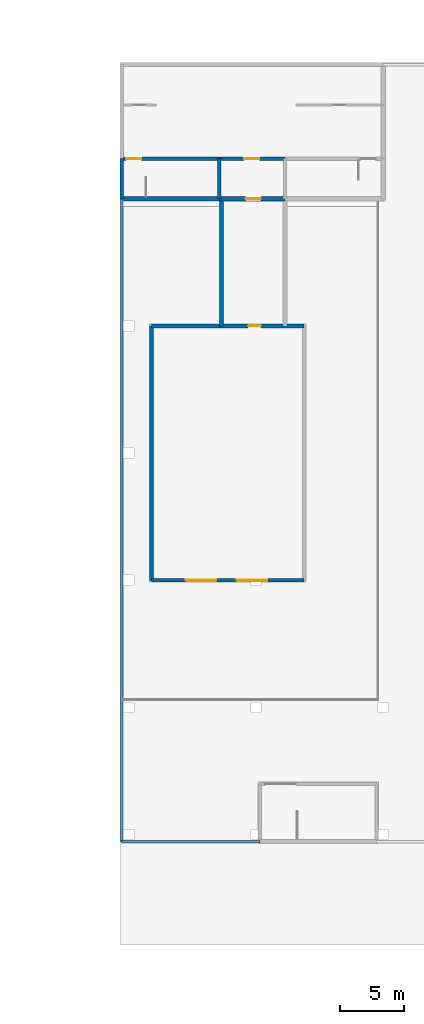
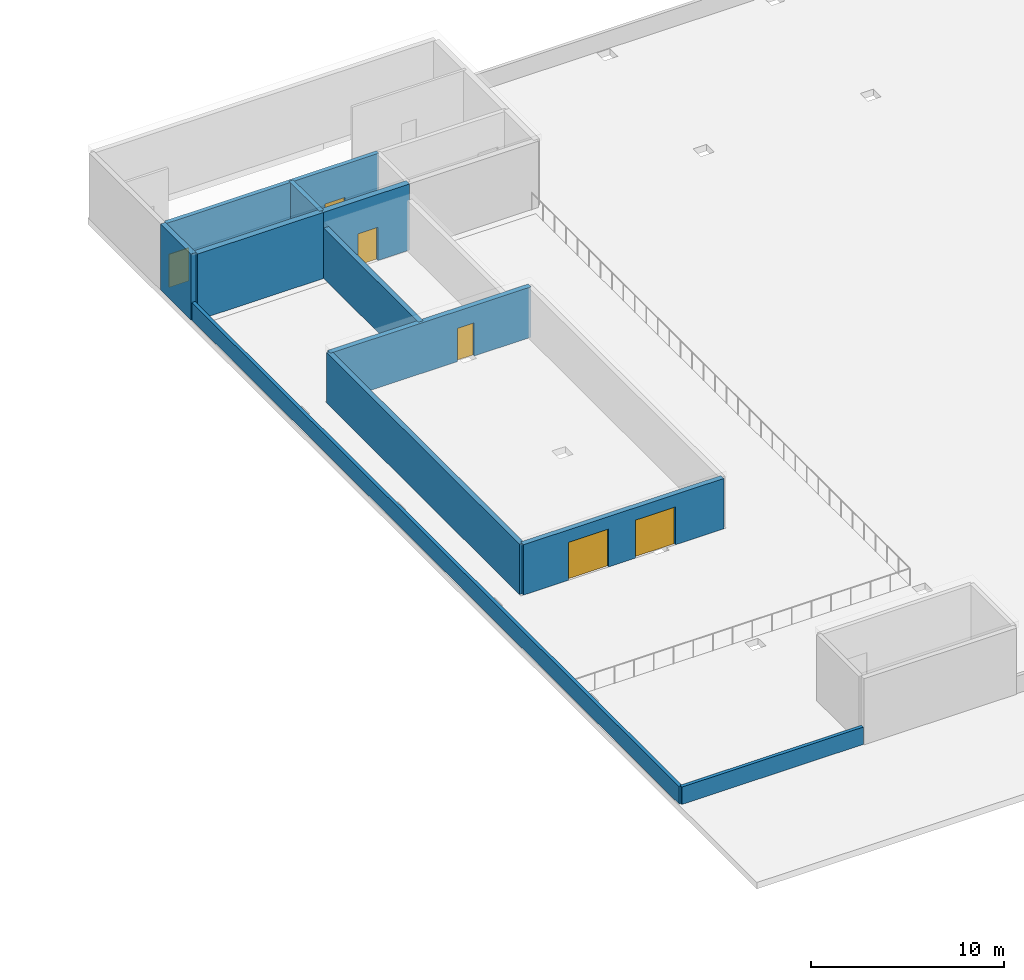
# One storey, part 20 of 31: 12 walls, 6 doors, 6 openings.
"""IFC4 building model written with IfcOpenShell, lengths in metres."""

from ifc_helpers import new_model, si_unit, direction, frame, frame_2d, origin, place, context, subcontext, project, spatial, rectangle, extrude, material, layer, layer_set, type_object, element, fill, save


model = new_model("IFC4")

# Units and contexts
model_context = context("Model", 3, precision=1e-05, world=origin(), true_north=direction((0.0, 1.0)))
body_context = subcontext(model_context, "Body", "Model", "MODEL_VIEW")
ifc_project = project(units=[si_unit("LENGTHUNIT", "METRE"), si_unit("AREAUNIT", "SQUARE_METRE"), si_unit("VOLUMEUNIT", "CUBIC_METRE"), si_unit("PLANEANGLEUNIT", "RADIAN"), si_unit("MASSUNIT", "GRAM", prefix="KILO")], contexts=[model_context])

# Site, building, storey
site_placement = place(None, origin())
site = spatial("IfcSite", under=ifc_project, at=site_placement, CompositionType="ELEMENT")
building_placement = place(site_placement, origin())
building = spatial("IfcBuilding", under=site, at=building_placement, Name="Jabali Bay Hotel Tower and Convention Centre", CompositionType="ELEMENT")
storey_placement = place(building_placement, frame((0.0, 0.0, 25.39990234375)))
storey = spatial("IfcBuildingStorey", under=building, at=storey_placement, Name="L04", CompositionType="ELEMENT", Elevation=25.39990234375)

# Wall
ifc_material_1 = material(Name="Concrete C60", Category="concrete")
ifc_layer_1 = layer(ifc_material_1, 0.35009765625)
ifc_layer_set_1 = layer_set([ifc_layer_1], Name="Concrete C60")
wall_type_1 = type_object("IfcWallType", Name="CC Core Wall 350", PredefinedType="SHEAR", material=ifc_layer_set_1)
wall_1_placement = place(storey_placement, frame((150.300048828125, 100.0, 0.0), z_axis=(0.0, 0.0, 1.0), x_axis=(1.0, 0.0, 0.0)))
element("IfcWall", 1, at=wall_1_placement, inside=storey, type_object=wall_type_1, Name="CC west core wall", PredefinedType="SHEAR", context=body_context, shape_type="SweptSolid", body=[
    extrude(rectangle(XDim=7.52490234375, YDim=0.35009765625, at=frame_2d((3.762451171875, 0.0))), origin(), (0.0, 0.0, 1.0), 4.190185546875),
])

# Wall, opening, door
wall_2_placement = place(storey_placement, frame((163.0, 100.0, 0.0), z_axis=(0.0, 0.0, 1.0), x_axis=(-1.0, 0.0, 0.0)))
wall_2 = element("IfcWall", 2, at=wall_2_placement, inside=storey, type_object=wall_type_1, Name="CC west core wall", PredefinedType="SHEAR", context=body_context, shape_type="SweptSolid", body=[
    extrude(rectangle(XDim=5.175048828125, YDim=0.35009765625, at=frame_2d((2.58740234375, 0.0))), origin(), (0.0, 0.0, 1.0), 4.190185546875),
])
opening_1_placement = place(wall_2_placement, frame((1.89990234375, 0.0, 0.0)))
opening_1 = element("IfcOpeningElement", 3, at=opening_1_placement, cuts=wall_2, Name="Opening CC-D249", PredefinedType="OPENING", context=body_context, shape_type="SweptSolid", body=[
    extrude(rectangle(XDim=1.199951171875, YDim=2.10009765625, at=frame_2d((0.60009765625, 1.050048828125))), frame((0.0, 0.185546875, 0.0), z_axis=(0.0, -1.0, 0.0), x_axis=(1.0, 0.0, 0.0)), (0.0, 0.0, 1.0), 0.37109375),
])
ifc_material_2 = material(Name="Timber and steel door set", Category="steel")
door_type_1 = type_object("IfcDoorType", Name="CC Vestibule Door 1200x2100", OperationType="NOTDEFINED", PredefinedType="DOOR", material=ifc_material_2)
door_1_placement = place(opening_1_placement, origin())
door_1 = element("IfcDoor", 4, at=door_1_placement, inside=storey, type_object=door_type_1, Name="CC door CC-D249", OperationType="SINGLE_SWING_LEFT", OverallHeight=2.10009765625, OverallWidth=1.199951171875, PredefinedType="DOOR", context=body_context, shape_type="SweptSolid", body=[
    extrude(rectangle(XDim=1.199951171875, YDim=2.10009765625, at=frame_2d((0.60009765625, 1.050048828125))), frame((0.0, 0.02490234375, 0.0), z_axis=(0.0, -1.0, 0.0), x_axis=(1.0, 0.0, 0.0)), (0.0, 0.0, 1.0), 0.050048828125),
])
fill(opening_1, door_1)

# Wall
ifc_material_3 = material(Name="Concrete C40", Category="concrete")
ifc_layer_2 = layer(ifc_material_3, 0.300048828125)
ifc_layer_set_2 = layer_set([ifc_layer_2], Name="Concrete C40")
wall_type_2 = type_object("IfcWallType", Name="CC External Wall 300", PredefinedType="SOLIDWALL", material=ifc_layer_set_2)
wall_3_placement = place(storey_placement, frame((150.14990234375, 100.0, 0.0), z_axis=(0.0, 0.0, 1.0), x_axis=(0.0, 1.0, 0.0)))
element("IfcWall", 5, at=wall_3_placement, inside=storey, type_object=wall_type_2, Name="CC wall 139", PredefinedType="SOLIDWALL", context=body_context, shape_type="SweptSolid", body=[
    extrude(rectangle(XDim=3.14990234375, YDim=0.300048828125, at=frame_2d((1.574951171875, 0.0))), origin(), (0.0, 0.0, 1.0), 4.190185546875),
])

# Wall, openings, doors
wall_4_placement = place(storey_placement, frame((164.5, 70.0, 0.0), z_axis=(0.0, 0.0, 1.0), x_axis=(-1.0, 0.0, 0.0)))
wall_4 = element("IfcWall", 6, at=wall_4_placement, inside=storey, type_object=wall_type_2, Name="CC roof garden restaurant wall", PredefinedType="SOLIDWALL", context=body_context, shape_type="SweptSolid", body=[
    extrude(rectangle(XDim=12.0, YDim=0.300048828125, at=frame_2d((6.0, 0.0))), origin(), (0.0, 0.0, 1.0), 3.190185546875),
])
opening_2_placement = place(wall_4_placement, frame((6.89990234375, 0.0, 0.0)))
opening_2 = element("IfcOpeningElement", 7, at=opening_2_placement, cuts=wall_4, Name="Opening CC-D247", PredefinedType="OPENING", context=body_context, shape_type="SweptSolid", body=[
    extrude(rectangle(XDim=2.39990234375, YDim=2.39990234375, at=frame_2d((1.199951171875, 1.199951171875))), frame((0.0, 0.16064453125, 0.0), z_axis=(0.0, -1.0, 0.0), x_axis=(1.0, 0.0, 0.0)), (0.0, 0.0, 1.0), 0.321044921875),
])
opening_3_placement = place(wall_4_placement, frame((2.89990234375, 0.0, 0.0)))
opening_3 = element("IfcOpeningElement", 8, at=opening_3_placement, cuts=wall_4, Name="Opening CC-D248", PredefinedType="OPENING", context=body_context, shape_type="SweptSolid", body=[
    extrude(rectangle(XDim=2.39990234375, YDim=2.39990234375, at=frame_2d((1.199951171875, 1.199951171875))), frame((0.0, 0.16064453125, 0.0), z_axis=(0.0, -1.0, 0.0), x_axis=(1.0, 0.0, 0.0)), (0.0, 0.0, 1.0), 0.321044921875),
])
ifc_material_4 = material(Name="Glazed aluminium door set", Category="aluminium")
door_type_2 = type_object("IfcDoorType", Name="CC Entrance Glazed Double Door 2400x2400", OperationType="NOTDEFINED", PredefinedType="DOOR", material=ifc_material_4)
door_2_placement = place(opening_2_placement, origin())
door_2 = element("IfcDoor", 9, at=door_2_placement, inside=storey, type_object=door_type_2, Name="CC door CC-D247", OperationType="DOUBLE_DOOR_SINGLE_SWING", OverallHeight=2.39990234375, OverallWidth=2.39990234375, PredefinedType="DOOR", context=body_context, shape_type="SweptSolid", body=[
    extrude(rectangle(XDim=2.39990234375, YDim=2.39990234375, at=frame_2d((1.199951171875, 1.199951171875))), frame((0.0, 0.02490234375, 0.0), z_axis=(0.0, -1.0, 0.0), x_axis=(1.0, 0.0, 0.0)), (0.0, 0.0, 1.0), 0.050048828125),
])
fill(opening_2, door_2)
door_3_placement = place(opening_3_placement, origin())
door_3 = element("IfcDoor", 10, at=door_3_placement, inside=storey, type_object=door_type_2, Name="CC door CC-D248", OperationType="DOUBLE_DOOR_SINGLE_SWING", OverallHeight=2.39990234375, OverallWidth=2.39990234375, PredefinedType="DOOR", context=body_context, shape_type="SweptSolid", body=[
    extrude(rectangle(XDim=2.39990234375, YDim=2.39990234375, at=frame_2d((1.199951171875, 1.199951171875))), frame((0.0, 0.02490234375, 0.0), z_axis=(0.0, -1.0, 0.0), x_axis=(1.0, 0.0, 0.0)), (0.0, 0.0, 1.0), 0.050048828125),
])
fill(opening_3, door_3)

# Wall, opening, door
wall_5_placement = place(storey_placement, frame((152.5, 90.0, 0.0), z_axis=(0.0, 0.0, 1.0), x_axis=(1.0, 0.0, 0.0)))
wall_5 = element("IfcWall", 11, at=wall_5_placement, inside=storey, type_object=wall_type_2, Name="CC roof garden restaurant wall", PredefinedType="SOLIDWALL", context=body_context, shape_type="SweptSolid", body=[
    extrude(rectangle(XDim=12.0, YDim=0.300048828125, at=frame_2d((6.0, 0.0))), origin(), (0.0, 0.0, 1.0), 3.190185546875),
])
opening_4_placement = place(wall_5_placement, frame((7.60009765625, 0.0, 0.0)))
opening_4 = element("IfcOpeningElement", 12, at=opening_4_placement, cuts=wall_5, Name="Opening CC-D246", PredefinedType="OPENING", context=body_context, shape_type="SweptSolid", body=[
    extrude(rectangle(XDim=1.0, YDim=2.10009765625, at=frame_2d((0.5, 1.050048828125))), frame((0.0, 0.16064453125, 0.0), z_axis=(0.0, -1.0, 0.0), x_axis=(1.0, 0.0, 0.0)), (0.0, 0.0, 1.0), 0.321044921875),
])
door_type_3 = type_object("IfcDoorType", Name="CC Single Door 1000x2100", OperationType="NOTDEFINED", PredefinedType="DOOR", material=ifc_material_2)
door_4_placement = place(opening_4_placement, origin())
door_4 = element("IfcDoor", 13, at=door_4_placement, inside=storey, type_object=door_type_3, Name="CC door CC-D246", OperationType="SINGLE_SWING_RIGHT", OverallHeight=2.10009765625, OverallWidth=1.0, PredefinedType="DOOR", context=body_context, shape_type="SweptSolid", body=[
    extrude(rectangle(XDim=1.0, YDim=2.10009765625, at=frame_2d((0.5, 1.050048828125))), frame((0.0, 0.02490234375, 0.0), z_axis=(0.0, -1.0, 0.0), x_axis=(1.0, 0.0, 0.0)), (0.0, 0.0, 1.0), 0.050048828125),
])
fill(opening_4, door_4)

# Walls
wall_6_placement = place(storey_placement, frame((152.5, 70.0, 0.0), z_axis=(0.0, 0.0, 1.0), x_axis=(0.0, 1.0, 0.0)))
element("IfcWall", 14, at=wall_6_placement, inside=storey, type_object=wall_type_2, Name="CC roof garden restaurant wall", PredefinedType="SOLIDWALL", context=body_context, shape_type="SweptSolid", body=[
    extrude(rectangle(XDim=20.0, YDim=0.300048828125, at=frame_2d((10.0, 0.0))), origin(), (0.0, 0.0, 1.0), 3.190185546875),
])
wall_7_placement = place(storey_placement, frame((158.0, 90.0, 0.0), z_axis=(0.0, 0.0, 1.0), x_axis=(0.0, 1.0, 0.0)))
element("IfcWall", 15, at=wall_7_placement, inside=storey, type_object=wall_type_2, Name="CC roof garden restaurant passage wall", PredefinedType="SOLIDWALL", context=body_context, shape_type="SweptSolid", body=[
    extrude(rectangle(XDim=10.0, YDim=0.300048828125, at=frame_2d((5.0, 0.0))), origin(), (0.0, 0.0, 1.0), 3.190185546875),
])
ifc_layer_3 = layer(ifc_material_3, 0.199951171875)
ifc_layer_set_3 = layer_set([ifc_layer_3], Name="Concrete C40")
wall_type_3 = type_object("IfcWallType", Name="CC Parapet 200", PredefinedType="PARAPET", material=ifc_layer_set_3)
wall_8_placement = place(storey_placement, frame((150.14990234375, 49.449951171875, 0.0), z_axis=(0.0, 0.0, 1.0), x_axis=(0.0, 1.0, 0.0)))
element("IfcWall", 16, at=wall_8_placement, inside=storey, type_object=wall_type_3, Name="CC roof parapet", PredefinedType="PARAPET", context=body_context, shape_type="SweptSolid", body=[
    extrude(rectangle(XDim=50.550048828125, YDim=0.199951171875, at=frame_2d((25.27490234375, 0.0))), origin(), (0.0, 0.0, 1.0), 1.10009765625),
])
wall_9_placement = place(storey_placement, frame((150.14990234375, 49.449951171875, 0.0), z_axis=(0.0, 0.0, 1.0), x_axis=(1.0, 0.0, 0.0)))
element("IfcWall", 17, at=wall_9_placement, inside=storey, type_object=wall_type_3, Name="CC roof parapet", PredefinedType="PARAPET", context=body_context, shape_type="SweptSolid", body=[
    extrude(rectangle(XDim=10.875, YDim=0.199951171875, at=frame_2d((5.4375, 0.0))), origin(), (0.0, 0.0, 1.0), 1.10009765625),
])

# Wall, opening, door
ifc_layer_4 = layer(ifc_material_3, 0.25)
ifc_layer_set_4 = layer_set([ifc_layer_4], Name="Concrete C40")
wall_type_4 = type_object("IfcWallType", Name="CC Shaft Wall 250", PredefinedType="SHEAR", material=ifc_layer_set_4)
wall_10_placement = place(storey_placement, frame((150.300048828125, 103.14990234375, 0.0), z_axis=(0.0, 0.0, 1.0), x_axis=(1.0, 0.0, 0.0)))
wall_10 = element("IfcWall", 18, at=wall_10_placement, inside=storey, type_object=wall_type_4, Name="CC west core wall", PredefinedType="SHEAR", context=body_context, shape_type="SweptSolid", body=[
    extrude(rectangle(XDim=7.52490234375, YDim=0.25, at=frame_2d((3.762451171875, 0.0))), origin(), (0.0, 0.0, 1.0), 4.190185546875),
])
opening_5_placement = place(wall_10_placement, frame((0.199951171875, 0.0, 0.0)))
opening_5 = element("IfcOpeningElement", 19, at=opening_5_placement, cuts=wall_10, Name="Opening CC-D164", PredefinedType="OPENING", context=body_context, shape_type="SweptSolid", body=[
    extrude(rectangle(XDim=1.199951171875, YDim=2.10009765625, at=frame_2d((0.60009765625, 1.050048828125))), frame((0.0, 0.135498046875, 0.0), z_axis=(0.0, -1.0, 0.0), x_axis=(1.0, 0.0, 0.0)), (0.0, 0.0, 1.0), 0.27099609375),
])
door_type_4 = type_object("IfcDoorType", Name="CC Stair Door 1200x2100", OperationType="NOTDEFINED", PredefinedType="DOOR", material=ifc_material_2)
door_5_placement = place(opening_5_placement, origin())
door_5 = element("IfcDoor", 20, at=door_5_placement, inside=storey, type_object=door_type_4, Name="CC door CC-D164", OperationType="SINGLE_SWING_RIGHT", OverallHeight=2.10009765625, OverallWidth=1.199951171875, PredefinedType="DOOR", context=body_context, shape_type="SweptSolid", body=[
    extrude(rectangle(XDim=1.199951171875, YDim=2.10009765625, at=frame_2d((0.60009765625, 1.050048828125))), frame((0.0, 0.02490234375, 0.0), z_axis=(0.0, -1.0, 0.0), x_axis=(1.0, 0.0, 0.0)), (0.0, 0.0, 1.0), 0.050048828125),
])
fill(opening_5, door_5)

wall_11_placement = place(storey_placement, frame((157.824951171875, 103.14990234375, 0.0), z_axis=(0.0, 0.0, 1.0), x_axis=(1.0, 0.0, 0.0)))
wall_11 = element("IfcWall", 21, at=wall_11_placement, inside=storey, type_object=wall_type_4, Name="CC west core wall", PredefinedType="SHEAR", context=body_context, shape_type="SweptSolid", body=[
    extrude(rectangle(XDim=5.175048828125, YDim=0.25, at=frame_2d((2.58740234375, 0.0))), origin(), (0.0, 0.0, 1.0), 4.190185546875),
])
opening_6_placement = place(wall_11_placement, frame((1.949951171875, 0.0, 0.0)))
opening_6 = element("IfcOpeningElement", 22, at=opening_6_placement, cuts=wall_11, Name="Opening CC-D166", PredefinedType="OPENING", context=body_context, shape_type="SweptSolid", body=[
    extrude(rectangle(XDim=1.199951171875, YDim=2.10009765625, at=frame_2d((0.60009765625, 1.050048828125))), frame((0.0, 0.135498046875, 0.0), z_axis=(0.0, -1.0, 0.0), x_axis=(1.0, 0.0, 0.0)), (0.0, 0.0, 1.0), 0.27099609375),
])
door_6_placement = place(opening_6_placement, origin())
door_6 = element("IfcDoor", 23, at=door_6_placement, inside=storey, type_object=door_type_1, Name="CC door CC-D166", OperationType="SINGLE_SWING_RIGHT", OverallHeight=2.10009765625, OverallWidth=1.199951171875, PredefinedType="DOOR", context=body_context, shape_type="SweptSolid", body=[
    extrude(rectangle(XDim=1.199951171875, YDim=2.10009765625, at=frame_2d((0.60009765625, 1.050048828125))), frame((0.0, 0.02490234375, 0.0), z_axis=(0.0, -1.0, 0.0), x_axis=(1.0, 0.0, 0.0)), (0.0, 0.0, 1.0), 0.050048828125),
])
fill(opening_6, door_6)

# Wall
wall_12_placement = place(storey_placement, frame((157.824951171875, 100.0, 0.0), z_axis=(0.0, 0.0, 1.0), x_axis=(0.0, 1.0, 0.0)))
element("IfcWall", 24, at=wall_12_placement, inside=storey, type_object=wall_type_4, Name="CC west core wall", PredefinedType="SHEAR", context=body_context, shape_type="SweptSolid", body=[
    extrude(rectangle(XDim=3.14990234375, YDim=0.25, at=frame_2d((1.574951171875, 0.0))), origin(), (0.0, 0.0, 1.0), 4.190185546875),
])

save(model, "model.ifc")
